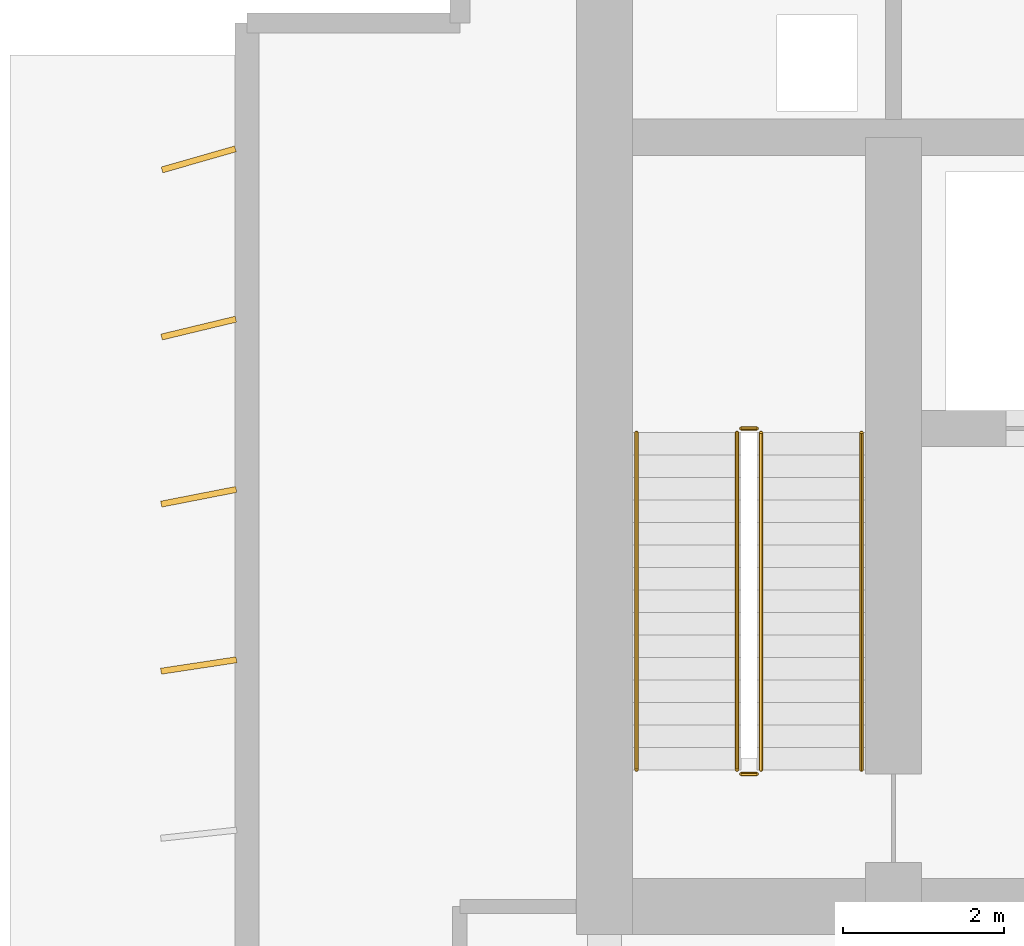
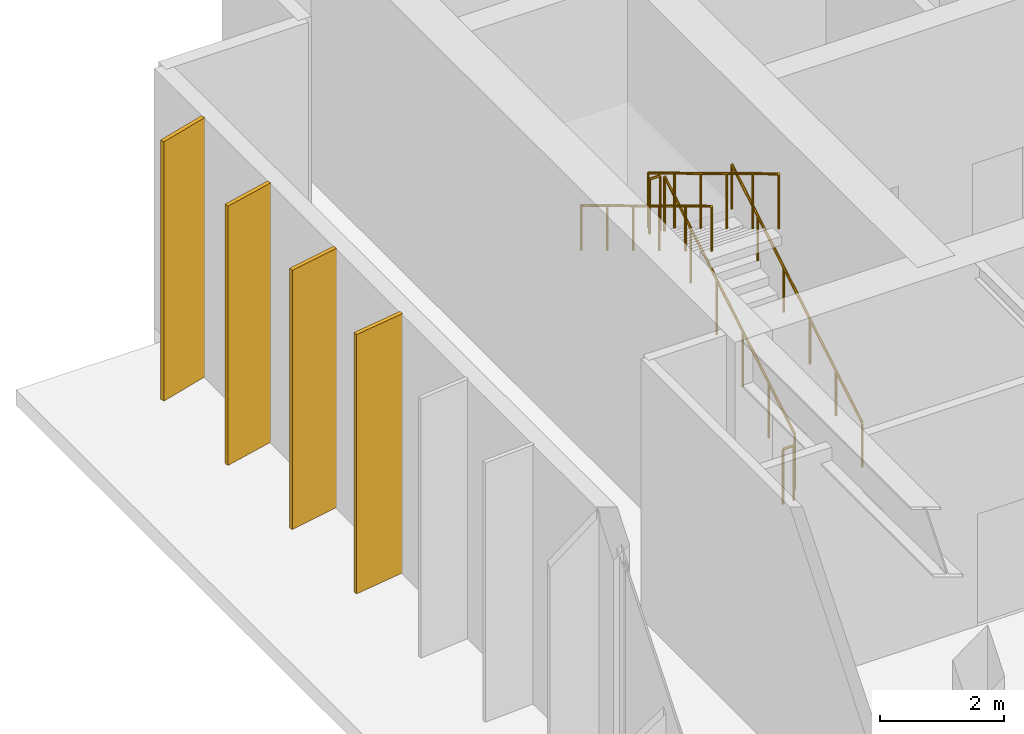
# One storey, part 9 of 10: 6 railings, 4 shading devices.
"""IFC4 building model written with IfcOpenShell, lengths in metres."""

from ifc_helpers import new_model, si_unit, direction, frame, origin, origin_2d, place, context, subcontext, project, spatial, rectangle, circle, extrude, material, material_profile, profile_set, type_object, element, save


model = new_model("IFC4")

# Units and contexts
model_context = context("Model", 3, precision=1e-05, world=origin(), true_north=direction((0.0, 1.0)))
body_context = subcontext(model_context, "Body", "Model", "MODEL_VIEW")
ifc_project = project(units=[si_unit("LENGTHUNIT", "METRE"), si_unit("AREAUNIT", "SQUARE_METRE"), si_unit("VOLUMEUNIT", "CUBIC_METRE"), si_unit("PLANEANGLEUNIT", "RADIAN"), si_unit("MASSUNIT", "GRAM", prefix="KILO")], contexts=[model_context])

# Site, building, storey
site_placement = place(None, origin())
site = spatial("IfcSite", under=ifc_project, at=site_placement, CompositionType="ELEMENT")
building_placement = place(site_placement, origin())
building = spatial("IfcBuilding", under=site, at=building_placement, Name="Caelmar Bay Residences", CompositionType="ELEMENT")
storey_placement = place(building_placement, frame((0.0, 0.0, 279.39990234375)))
storey = spatial("IfcBuildingStorey", under=building, at=storey_placement, Name="L78", CompositionType="ELEMENT", Elevation=279.39990234375)

# Railings
ifc_material_1 = material(Name="Painted galvanized steel stair guard 1100 mm", Category="steel")
railing_type_1 = type_object("IfcRailingType", Name="RL-GRD-1100", PredefinedType="GUARDRAIL", material=ifc_material_1)
railing_1_placement = place(storey_placement, frame((20.25, 38.699951171875, 0.1689453125)))
element("IfcRailing", 1, at=railing_1_placement, inside=storey, type_object=railing_type_1, Name="L78 ST1 stair guard 1", PredefinedType="GUARDRAIL", context=body_context, shape_type="SweptSolid", body=[
    extrude(circle(Radius=0.02392578125, at=origin_2d()), frame((0.0, 0.0, 1.076171875), z_axis=(0.0, 0.856476492594, 0.516186030065), x_axis=(-1.0, 0.0, 0.0)), (0.0, 0.0, 1.0), 4.90380859375),
    extrude(circle(Radius=0.02099609375, at=origin_2d()), origin(), (0.0, 0.0, 1.0), 1.052001953125),
    extrude(circle(Radius=0.02099609375, at=origin_2d()), frame((0.0, 0.840087890625, 0.50634765625)), (0.0, 0.0, 1.0), 1.052001953125),
    extrude(circle(Radius=0.02099609375, at=origin_2d()), frame((0.0, 1.679931640625, 1.012451171875)), (0.0, 0.0, 1.0), 1.052001953125),
    extrude(circle(Radius=0.02099609375, at=origin_2d()), frame((0.0, 2.52001953125, 1.518798828125)), (0.0, 0.0, 1.0), 1.052001953125),
    extrude(circle(Radius=0.02099609375, at=origin_2d()), frame((0.0, 3.35986328125, 2.02490234375)), (0.0, 0.0, 1.0), 1.052001953125),
    extrude(circle(Radius=0.02099609375, at=origin_2d()), frame((0.0, 4.199951171875, 2.53125)), (0.0, 0.0, 1.0), 1.052001953125),
])
railing_2_placement = place(storey_placement, frame((20.199951171875, 42.949951171875, 2.7001953125)))
element("IfcRailing", 2, at=railing_2_placement, inside=storey, type_object=railing_type_1, Name="L78 ST1 stair guard 2", PredefinedType="GUARDRAIL", context=body_context, shape_type="SweptSolid", body=[
    extrude(circle(Radius=0.02392578125, at=origin_2d()), frame((0.0, 0.0, 1.076171875), z_axis=(-1.0, 0.0, 0.0), x_axis=(0.0, -1.0, 0.0)), (0.0, 0.0, 1.0), 0.199951171875),
    extrude(circle(Radius=0.02099609375, at=origin_2d()), origin(), (0.0, 0.0, 1.0), 1.052001953125),
    extrude(circle(Radius=0.02099609375, at=origin_2d()), frame((-0.199951171875, 0.0, 0.0)), (0.0, 0.0, 1.0), 1.052001953125),
])
railing_3_placement = place(storey_placement, frame((19.949951171875, 42.89990234375, 2.868896484375)))
element("IfcRailing", 3, at=railing_3_placement, inside=storey, type_object=railing_type_1, Name="L78 ST1 stair guard 3", PredefinedType="GUARDRAIL", context=body_context, shape_type="SweptSolid", body=[
    extrude(circle(Radius=0.02392578125, at=origin_2d()), frame((0.0, 0.0, 1.076171875), z_axis=(0.0, -0.856476492594, 0.516186030065), x_axis=(1.0, 0.0, 0.0)), (0.0, 0.0, 1.0), 4.90380859375),
    extrude(circle(Radius=0.02099609375, at=origin_2d()), origin(), (0.0, 0.0, 1.0), 1.052001953125),
    extrude(circle(Radius=0.02099609375, at=origin_2d()), frame((0.0, -0.840087890625, 0.50634765625)), (0.0, 0.0, 1.0), 1.052001953125),
    extrude(circle(Radius=0.02099609375, at=origin_2d()), frame((0.0, -1.679931640625, 1.012451171875)), (0.0, 0.0, 1.0), 1.052001953125),
    extrude(circle(Radius=0.02099609375, at=origin_2d()), frame((0.0, -2.52001953125, 1.518798828125)), (0.0, 0.0, 1.0), 1.052001953125),
    extrude(circle(Radius=0.02099609375, at=origin_2d()), frame((0.0, -3.35986328125, 2.02490234375)), (0.0, 0.0, 1.0), 1.052001953125),
    extrude(circle(Radius=0.02099609375, at=origin_2d()), frame((0.0, -4.199951171875, 2.53125)), (0.0, 0.0, 1.0), 1.052001953125),
])
railing_4_placement = place(storey_placement, frame((20.199951171875, 38.64990234375, 0.0)))
element("IfcRailing", 4, at=railing_4_placement, inside=storey, type_object=railing_type_1, Name="L78 ST1 stair guard 4", PredefinedType="GUARDRAIL", context=body_context, shape_type="SweptSolid", body=[
    extrude(circle(Radius=0.02392578125, at=origin_2d()), frame((0.0, 0.0, 1.076171875), z_axis=(-1.0, 0.0, 0.0), x_axis=(0.0, -1.0, 0.0)), (0.0, 0.0, 1.0), 0.199951171875),
    extrude(circle(Radius=0.02099609375, at=origin_2d()), origin(), (0.0, 0.0, 1.0), 1.052001953125),
    extrude(circle(Radius=0.02099609375, at=origin_2d()), frame((-0.199951171875, 0.0, 0.0)), (0.0, 0.0, 1.0), 1.052001953125),
])
ifc_material_2 = material(Name="Brushed bronze stainless-steel tubular handrail 900 mm", Category="steel")
railing_type_2 = type_object("IfcRailingType", Name="RL-HND-900", PredefinedType="HANDRAIL", material=ifc_material_2)
railing_5_placement = place(storey_placement, frame((21.5, 38.699951171875, 0.1689453125)))
element("IfcRailing", 5, at=railing_5_placement, inside=storey, type_object=railing_type_2, Name="L78 ST1 stair handrail 1", PredefinedType="HANDRAIL", context=body_context, shape_type="SweptSolid", body=[
    extrude(circle(Radius=0.02392578125, at=origin_2d()), frame((0.0, 0.0, 0.8759765625), z_axis=(0.0, 0.856476492594, 0.516186030065), x_axis=(-1.0, 0.0, 0.0)), (0.0, 0.0, 1.0), 4.90380859375),
    extrude(circle(Radius=0.02099609375, at=origin_2d()), origin(), (0.0, 0.0, 1.0), 0.851806640625),
    extrude(circle(Radius=0.02099609375, at=origin_2d()), frame((0.0, 0.840087890625, 0.50634765625)), (0.0, 0.0, 1.0), 0.851806640625),
    extrude(circle(Radius=0.02099609375, at=origin_2d()), frame((0.0, 1.679931640625, 1.012451171875)), (0.0, 0.0, 1.0), 0.851806640625),
    extrude(circle(Radius=0.02099609375, at=origin_2d()), frame((0.0, 2.52001953125, 1.518798828125)), (0.0, 0.0, 1.0), 0.851806640625),
    extrude(circle(Radius=0.02099609375, at=origin_2d()), frame((0.0, 3.35986328125, 2.02490234375)), (0.0, 0.0, 1.0), 0.851806640625),
    extrude(circle(Radius=0.02099609375, at=origin_2d()), frame((0.0, 4.199951171875, 2.53125)), (0.0, 0.0, 1.0), 0.851806640625),
])
railing_6_placement = place(storey_placement, frame((18.699951171875, 42.89990234375, 2.868896484375)))
element("IfcRailing", 6, at=railing_6_placement, inside=storey, type_object=railing_type_2, Name="L78 ST1 stair handrail 2", PredefinedType="HANDRAIL", context=body_context, shape_type="SweptSolid", body=[
    extrude(circle(Radius=0.02392578125, at=origin_2d()), frame((0.0, 0.0, 0.8759765625), z_axis=(0.0, -0.856476492594, 0.516186030065), x_axis=(1.0, 0.0, 0.0)), (0.0, 0.0, 1.0), 4.90380859375),
    extrude(circle(Radius=0.02099609375, at=origin_2d()), origin(), (0.0, 0.0, 1.0), 0.851806640625),
    extrude(circle(Radius=0.02099609375, at=origin_2d()), frame((0.0, -0.840087890625, 0.50634765625)), (0.0, 0.0, 1.0), 0.851806640625),
    extrude(circle(Radius=0.02099609375, at=origin_2d()), frame((0.0, -1.679931640625, 1.012451171875)), (0.0, 0.0, 1.0), 0.851806640625),
    extrude(circle(Radius=0.02099609375, at=origin_2d()), frame((0.0, -2.52001953125, 1.518798828125)), (0.0, 0.0, 1.0), 0.851806640625),
    extrude(circle(Radius=0.02099609375, at=origin_2d()), frame((0.0, -3.35986328125, 2.02490234375)), (0.0, 0.0, 1.0), 0.851806640625),
    extrude(circle(Radius=0.02099609375, at=origin_2d()), frame((0.0, -4.199951171875, 2.53125)), (0.0, 0.0, 1.0), 0.851806640625),
])

# Shading devices
ifc_material_3 = material(Name="Anodised architectural bronze aluminium 6063-T6", Category="aluminium")
ifc_material_profile = material_profile(ifc_material_3, rectangle(XDim=0.074951171875, YDim=0.949951171875, at=origin_2d()), Name="BRONZE-FIN-75X950")
ifc_profile_set = profile_set([ifc_material_profile], Name="Anodised architectural bronze aluminium 6063-T6")
shading_device_type = type_object("IfcShadingDeviceType", Name="SHD-FIN-950", PredefinedType="USERDEFINED", material=ifc_profile_set)
for number, where, z_axis, x_axis, name in (
    (7, (13.25, 40.0, 0.0), (0.0, 0.0, 1.0), (-0.149880475413, 0.988704123128, 0.0), "L78 West Bronze Solar Fin 11"),
    (8, (13.25, 42.10009765625, 0.0), (0.0, 0.0, 1.0), (-0.192179419046, 0.981359807051, 0.0), "L78 West Bronze Solar Fin 12"),
    (9, (13.25, 44.199951171875, 0.0), (0.0, 0.0, 1.0), (-0.234124149178, 0.972206707841, 0.0), "L78 West Bronze Solar Fin 13"),
    (10, (13.25, 46.300048828125, 0.0), (0.0, 0.0, 1.0), (-0.275637355817, 0.961261695938, 0.0), "L78 West Bronze Solar Fin 14"),
):
    element("IfcShadingDevice", number, at=place(storey_placement, frame(where, z_axis=z_axis, x_axis=x_axis)), inside=storey, type_object=shading_device_type, Name=name, ObjectType="FIN", PredefinedType="USERDEFINED", context=body_context, shape_type="SweptSolid", body=[
        extrude(rectangle(XDim=0.074951171875, YDim=0.949951171875, at=origin_2d()), origin(), (0.0, 0.0, 1.0), 5.10009765625),
    ])

save(model, "model.ifc")
